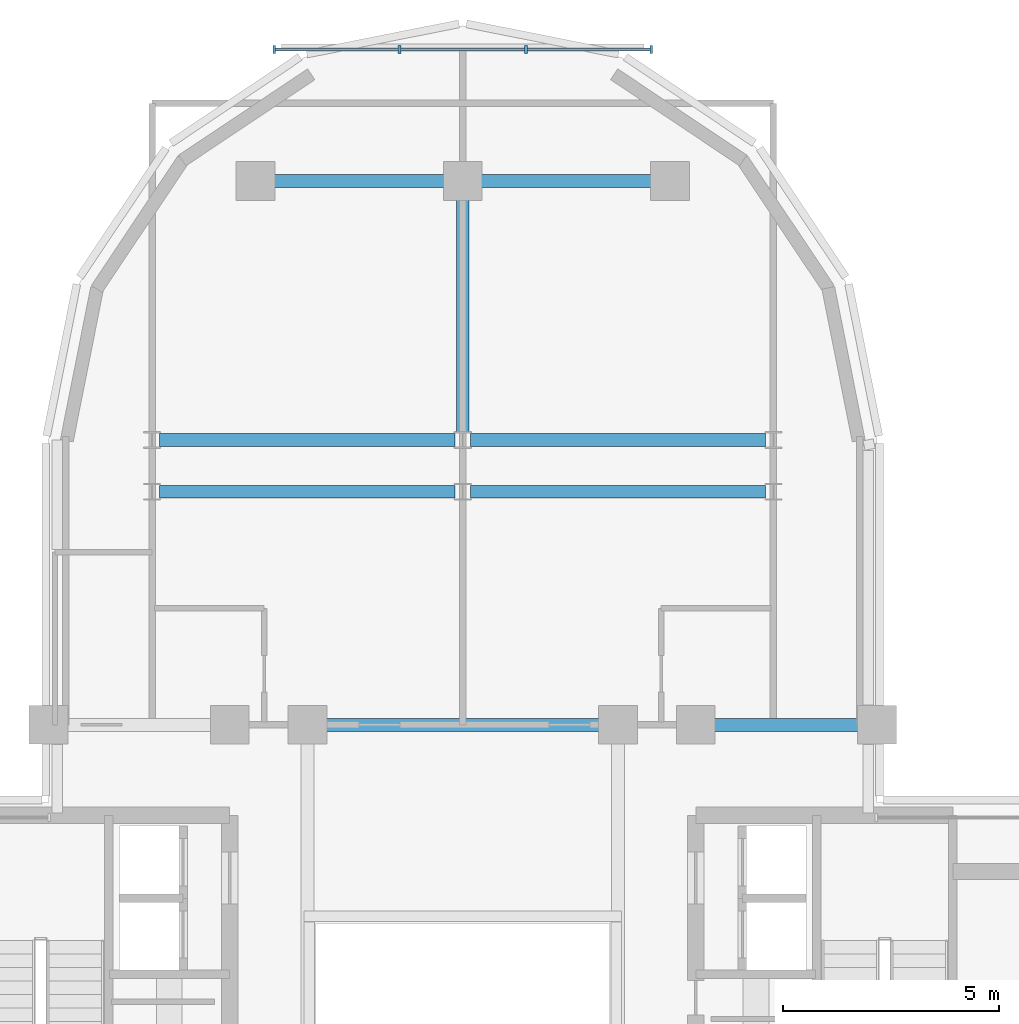
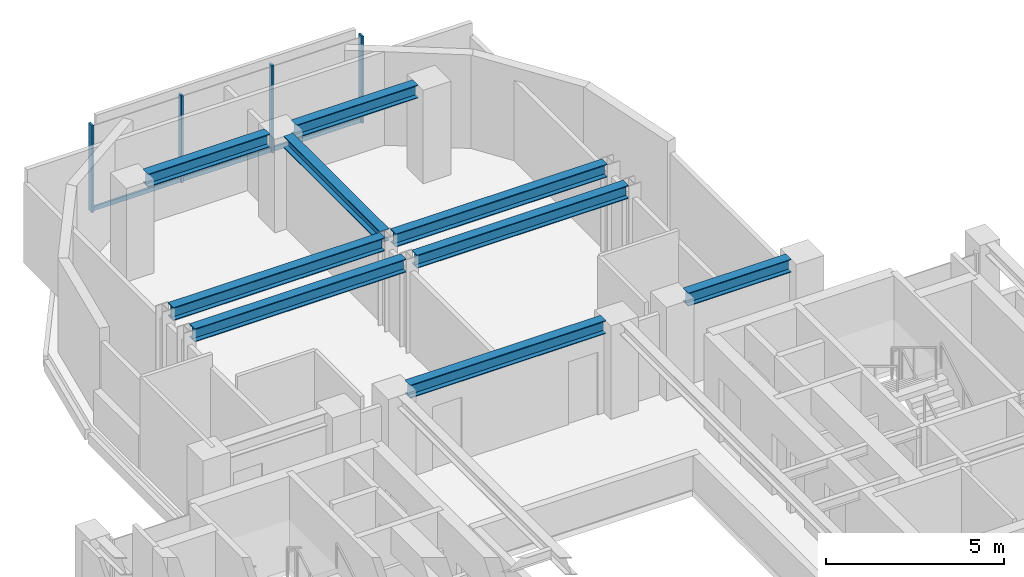
# One storey, part 4 of 12: 9 beams, 7 members, 1 element without a shape of its own.
"""IFC4 building model written with IfcOpenShell, lengths in metres."""

from ifc_helpers import new_model, si_unit, direction, frame, origin, origin_2d, place, context, subcontext, project, spatial, rectangle, i_section, extrude, source, transform, mapped, material, material_profile, profile_set, type_object, element, aggregate, save


model = new_model("IFC4")

# Units and contexts
model_context = context("Model", 3, precision=1e-05, world=origin(), true_north=direction((0.0, 1.0)))
body_context = subcontext(model_context, "Body", "Model", "MODEL_VIEW")
ifc_project = project(units=[si_unit("LENGTHUNIT", "METRE"), si_unit("AREAUNIT", "SQUARE_METRE"), si_unit("VOLUMEUNIT", "CUBIC_METRE"), si_unit("PLANEANGLEUNIT", "RADIAN"), si_unit("MASSUNIT", "GRAM", prefix="KILO")], contexts=[model_context])

# Site, building, storey
site_placement = place(None, origin())
site = spatial("IfcSite", under=ifc_project, at=site_placement, CompositionType="ELEMENT")
building_placement = place(site_placement, origin())
building = spatial("IfcBuilding", under=site, at=building_placement, Name="Keilestroom Media Tower", CompositionType="ELEMENT")
storey_placement = place(building_placement, frame((0.0, 0.0, 187.60009765625)))
storey = spatial("IfcBuildingStorey", under=building, at=storey_placement, Name="L51", CompositionType="ELEMENT", Elevation=187.60009765625)

# Beams
ifc_material_1 = material(Name="Steel S355", Category="steel")
ifc_material_profile_1 = material_profile(ifc_material_1, i_section(OverallWidth=0.300048828125, OverallDepth=0.449951171875, WebThickness=0.011962890625, FlangeThickness=0.02587890625, at=origin_2d()), Name="HEB 450")
ifc_profile_set_1 = profile_set([ifc_material_profile_1], Name="Steel S355")
beam_type_1 = type_object("IfcBeamType", Name="Primary-Structural-Girder-HEB-450", PredefinedType="BEAM", material=ifc_profile_set_1)
shared_shape_1 = source(origin(), body_context, "Body", "SweptSolid", [
    extrude(i_section(OverallWidth=0.300048828125, OverallDepth=0.449951171875, WebThickness=0.011962890625, FlangeThickness=0.02587890625, at=origin_2d()), origin(), (0.0, 0.0, 1.0), 3.940185546875),
])
for number, where, z_axis, x_axis, name in (
    (1, (-4.3701171875, 21.60009765625, 2.974853515625), (1.0, 0.0, 0.0), (0.0, 1.0, 0.0), "L51 Beam BG-7 BM-L51-EW-029"),
    (2, (0.429931640625, 21.60009765625, 2.974853515625), (1.0, 0.0, 0.0), (0.0, 1.0, 0.0), "L51 Beam BG-7 BM-L51-EW-030"),
):
    element("IfcBeam", number, at=place(storey_placement, frame(where, z_axis=z_axis, x_axis=x_axis)), inside=storey, type_object=beam_type_1, Name=name, PredefinedType="BEAM", context=body_context, shape_type="MappedRepresentation", body=[
        mapped(shared_shape_1, transform((0.0, 0.0, 0.0), x_axis=(1.0, 0.0, 0.0), y_axis=(0.0, 1.0, 0.0), z_axis=(0.0, 0.0, 1.0), scale=1.0)),
    ])
shared_shape_2 = source(origin(), body_context, "Body", "SweptSolid", [
    extrude(i_section(OverallWidth=0.300048828125, OverallDepth=0.449951171875, WebThickness=0.011962890625, FlangeThickness=0.02587890625, at=origin_2d()), origin(), (0.0, 0.0, 1.0), 6.842041015625),
])
for number, where, z_axis, x_axis, name in (
    (3, (-7.02099609375, 14.39990234375, 2.974853515625), (1.0, 0.0, 0.0), (0.0, 1.0, 0.0), "L51 Beam BG-7 BM-L51-EW-025"),
    (4, (0.178955078125, 14.39990234375, 2.974853515625), (1.0, 0.0, 0.0), (0.0, 1.0, 0.0), "L51 Beam BG-7 BM-L51-EW-026"),
    (5, (-7.02099609375, 15.60009765625, 2.974853515625), (1.0, 0.0, 0.0), (0.0, 1.0, 0.0), "L51 Beam BG-7 BM-L51-EW-027"),
    (6, (0.178955078125, 15.60009765625, 2.974853515625), (1.0, 0.0, 0.0), (0.0, 1.0, 0.0), "L51 Beam BG-7 BM-L51-EW-028"),
):
    element("IfcBeam", number, at=place(storey_placement, frame(where, z_axis=z_axis, x_axis=x_axis)), inside=storey, type_object=beam_type_1, Name=name, PredefinedType="BEAM", context=body_context, shape_type="MappedRepresentation", body=[
        mapped(shared_shape_2, transform((0.0, 0.0, 0.0), x_axis=(1.0, 0.0, 0.0), y_axis=(0.0, 1.0, 0.0), z_axis=(0.0, 0.0, 1.0), scale=1.0)),
    ])
shared_shape_3 = source(origin(), body_context, "Body", "SweptSolid", [
    extrude(i_section(OverallWidth=0.300048828125, OverallDepth=0.449951171875, WebThickness=0.011962890625, FlangeThickness=0.02587890625, at=origin_2d()), origin(), (0.0, 0.0, 1.0), 3.33984375),
])
beam_1_placement = place(storey_placement, frame((5.830078125, 9.0, 2.974853515625), z_axis=(1.0, 0.0, 0.0), x_axis=(0.0, 1.0, 0.0)))
element("IfcBeam", 7, at=beam_1_placement, inside=storey, type_object=beam_type_1, Name="L51 Beam BG-7 BM-L51-EW-024", PredefinedType="BEAM", context=body_context, shape_type="MappedRepresentation", body=[
    mapped(shared_shape_3, transform((0.0, 0.0, 0.0), x_axis=(1.0, 0.0, 0.0), y_axis=(0.0, 1.0, 0.0), z_axis=(0.0, 0.0, 1.0), scale=1.0)),
])
shared_shape_4 = source(origin(), body_context, "Body", "SweptSolid", [
    extrude(i_section(OverallWidth=0.300048828125, OverallDepth=0.449951171875, WebThickness=0.011962890625, FlangeThickness=0.02587890625, at=origin_2d()), origin(), (0.0, 0.0, 1.0), 6.33984375),
])
beam_2_placement = place(storey_placement, frame((-3.169921875, 9.0, 2.974853515625), z_axis=(1.0, 0.0, 0.0), x_axis=(0.0, 1.0, 0.0)))
element("IfcBeam", 8, at=beam_2_placement, inside=storey, type_object=beam_type_1, Name="L51 Beam BG-7 BM-L51-EW-022", PredefinedType="BEAM", context=body_context, shape_type="MappedRepresentation", body=[
    mapped(shared_shape_4, transform((0.0, 0.0, 0.0), x_axis=(1.0, 0.0, 0.0), y_axis=(0.0, 1.0, 0.0), z_axis=(0.0, 0.0, 1.0), scale=1.0)),
])
ifc_material_profile_2 = material_profile(ifc_material_1, i_section(OverallWidth=0.300048828125, OverallDepth=0.39990234375, WebThickness=0.011474609375, FlangeThickness=0.02392578125, at=origin_2d()), Name="HEB 400")
ifc_profile_set_2 = profile_set([ifc_material_profile_2], Name="Steel S355")
beam_type_2 = type_object("IfcBeamType", Name="Primary-Structural-Girder-HEB-400", PredefinedType="BEAM", material=ifc_profile_set_2)
shared_shape_5 = source(origin(), body_context, "Body", "SweptSolid", [
    extrude(i_section(OverallWidth=0.300048828125, OverallDepth=0.39990234375, WebThickness=0.011474609375, FlangeThickness=0.02392578125, at=origin_2d()), origin(), (0.0, 0.0, 1.0), 5.396484375),
])
beam_3_placement = place(storey_placement, frame((0.0, 15.7734375, 3.0), z_axis=(0.0, 1.0, 0.0), x_axis=(-1.0, 0.0, 0.0)))
element("IfcBeam", 9, at=beam_3_placement, inside=storey, type_object=beam_type_2, Name="L51 Beam BG-8 BM-L51-NS-044", PredefinedType="BEAM", context=body_context, shape_type="MappedRepresentation", body=[
    mapped(shared_shape_5, transform((0.0, 0.0, 0.0), x_axis=(1.0, 0.0, 0.0), y_axis=(0.0, 1.0, 0.0), z_axis=(0.0, 0.0, 1.0), scale=1.0)),
])

# Curtain wall, members
ifc_material_2 = material(Name="Anodised Aluminium Alloy", Category="aluminium")
curtain_wall_type = type_object("IfcCurtainWallType", Name="Unitised-Curtain-Wall-CW-6", PredefinedType="NOTDEFINED", material=ifc_material_2)
curtain_wall_placement = place(storey_placement, origin())
curtain_wall = element("IfcCurtainWall", 10, at=curtain_wall_placement, inside=storey, type_object=curtain_wall_type, Name="L51 Curtain Wall CW-6 CW-L51-LN-1", PredefinedType="NOTDEFINED")
ifc_material_profile_3 = material_profile(ifc_material_2, rectangle(XDim=0.06494140625, YDim=0.179931640625, at=origin_2d()), Name="ALU MULLION 65x180")
ifc_profile_set_3 = profile_set([ifc_material_profile_3], Name="Anodised Aluminium Alloy")
member_type_1 = type_object("IfcMemberType", Name="Curtain-Wall-Mullion-CW-6", PredefinedType="MULLION", material=ifc_profile_set_3)
shared_shape_6 = source(origin(), body_context, "Body", "SweptSolid", [
    extrude(rectangle(XDim=0.06494140625, YDim=0.179931640625, at=origin_2d()), origin(), (0.0, 0.0, 1.0), 2.97998046875),
])
member_1_placement = place(storey_placement, frame((-4.367431640625, 24.64990234375, 0.0), z_axis=(0.0, 0.0, 1.0), x_axis=(1.0, 0.0, 0.0)))
member_1 = element("IfcMember", 11, at=member_1_placement, type_object=member_type_1, Name="CW-6 Mullion 00", PredefinedType="MULLION", context=body_context, shape_type="MappedRepresentation", body=[
    mapped(shared_shape_6, transform((0.0, 0.0, 0.0), x_axis=(1.0, 0.0, 0.0), y_axis=(0.0, 1.0, 0.0), z_axis=(0.0, 0.0, 1.0), scale=1.0)),
])
member_2_placement = place(storey_placement, frame((-1.466796875, 24.64990234375, 0.0), z_axis=(0.0, 0.0, 1.0), x_axis=(1.0, 0.0, 0.0)))
member_2 = element("IfcMember", 12, at=member_2_placement, type_object=member_type_1, Name="CW-6 Mullion 01", PredefinedType="MULLION", context=body_context, shape_type="MappedRepresentation", body=[
    mapped(shared_shape_6, transform((0.0, 0.0, 0.0), x_axis=(1.0, 0.0, 0.0), y_axis=(0.0, 1.0, 0.0), z_axis=(0.0, 0.0, 1.0), scale=1.0)),
])
member_3_placement = place(storey_placement, frame((1.466796875, 24.64990234375, 0.0), z_axis=(0.0, 0.0, 1.0), x_axis=(1.0, 0.0, 0.0)))
member_3 = element("IfcMember", 13, at=member_3_placement, type_object=member_type_1, Name="CW-6 Mullion 02", PredefinedType="MULLION", context=body_context, shape_type="MappedRepresentation", body=[
    mapped(shared_shape_6, transform((0.0, 0.0, 0.0), x_axis=(1.0, 0.0, 0.0), y_axis=(0.0, 1.0, 0.0), z_axis=(0.0, 0.0, 1.0), scale=1.0)),
])
member_4_placement = place(storey_placement, frame((4.367431640625, 24.64990234375, 0.0), z_axis=(0.0, 0.0, 1.0), x_axis=(1.0, 0.0, 0.0)))
member_4 = element("IfcMember", 14, at=member_4_placement, type_object=member_type_1, Name="CW-6 Mullion 03", PredefinedType="MULLION", context=body_context, shape_type="MappedRepresentation", body=[
    mapped(shared_shape_6, transform((0.0, 0.0, 0.0), x_axis=(1.0, 0.0, 0.0), y_axis=(0.0, 1.0, 0.0), z_axis=(0.0, 0.0, 1.0), scale=1.0)),
])
ifc_material_profile_4 = material_profile(ifc_material_2, rectangle(XDim=0.06494140625, YDim=0.14990234375, at=origin_2d()), Name="ALU TRANSOM 65x150")
ifc_profile_set_4 = profile_set([ifc_material_profile_4], Name="Anodised Aluminium Alloy")
member_type_2 = type_object("IfcMemberType", Name="Curtain-Wall-Transom-CW-6", PredefinedType="USERDEFINED", material=ifc_profile_set_4)
shared_shape_7 = source(origin(), body_context, "Body", "SweptSolid", [
    extrude(rectangle(XDim=0.06494140625, YDim=0.14990234375, at=origin_2d()), origin(), (0.0, 0.0, 1.0), 2.839599609375),
])
member_5_placement = place(storey_placement, frame((-4.3369140625, 24.64990234375, 0.074951171875), z_axis=(1.0, 0.0, 0.0), x_axis=(0.0, 1.0, 0.0)))
member_5 = element("IfcMember", 15, at=member_5_placement, type_object=member_type_2, Name="CW-6 Transom 00.1", ObjectType="TRANSOM", PredefinedType="USERDEFINED", context=body_context, shape_type="MappedRepresentation", body=[
    mapped(shared_shape_7, transform((0.0, 0.0, 0.0), x_axis=(1.0, 0.0, 0.0), y_axis=(0.0, 1.0, 0.0), z_axis=(0.0, 0.0, 1.0), scale=1.0)),
])
member_6_placement = place(storey_placement, frame((1.497314453125, 24.64990234375, 0.074951171875), z_axis=(1.0, 0.0, 0.0), x_axis=(0.0, 1.0, 0.0)))
member_6 = element("IfcMember", 16, at=member_6_placement, type_object=member_type_2, Name="CW-6 Transom 02.1", ObjectType="TRANSOM", PredefinedType="USERDEFINED", context=body_context, shape_type="MappedRepresentation", body=[
    mapped(shared_shape_7, transform((0.0, 0.0, 0.0), x_axis=(1.0, 0.0, 0.0), y_axis=(0.0, 1.0, 0.0), z_axis=(0.0, 0.0, 1.0), scale=1.0)),
])
shared_shape_8 = source(origin(), body_context, "Body", "SweptSolid", [
    extrude(rectangle(XDim=0.06494140625, YDim=0.14990234375, at=origin_2d()), origin(), (0.0, 0.0, 1.0), 2.87255859375),
])
member_7_placement = place(storey_placement, frame((-1.436279296875, 24.64990234375, 0.074951171875), z_axis=(1.0, 0.0, 0.0), x_axis=(0.0, 1.0, 0.0)))
member_7 = element("IfcMember", 17, at=member_7_placement, type_object=member_type_2, Name="CW-6 Transom 01.1", ObjectType="TRANSOM", PredefinedType="USERDEFINED", context=body_context, shape_type="MappedRepresentation", body=[
    mapped(shared_shape_8, transform((0.0, 0.0, 0.0), x_axis=(1.0, 0.0, 0.0), y_axis=(0.0, 1.0, 0.0), z_axis=(0.0, 0.0, 1.0), scale=1.0)),
])
aggregate(curtain_wall, [member_1, member_2, member_3, member_4, member_5, member_7, member_6])

save(model, "model.ifc")
